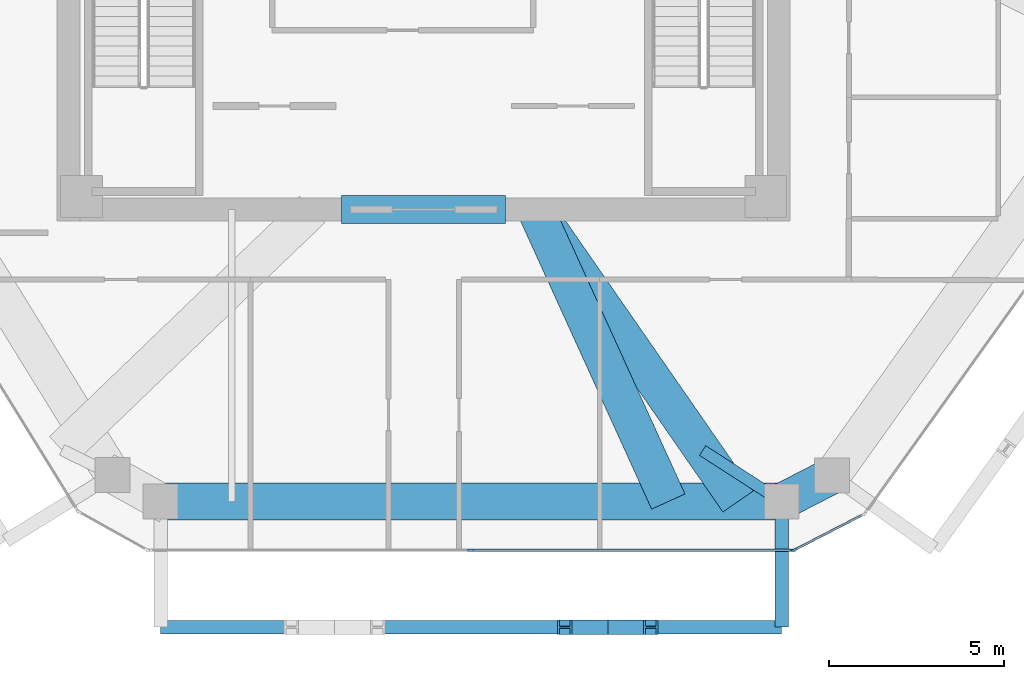
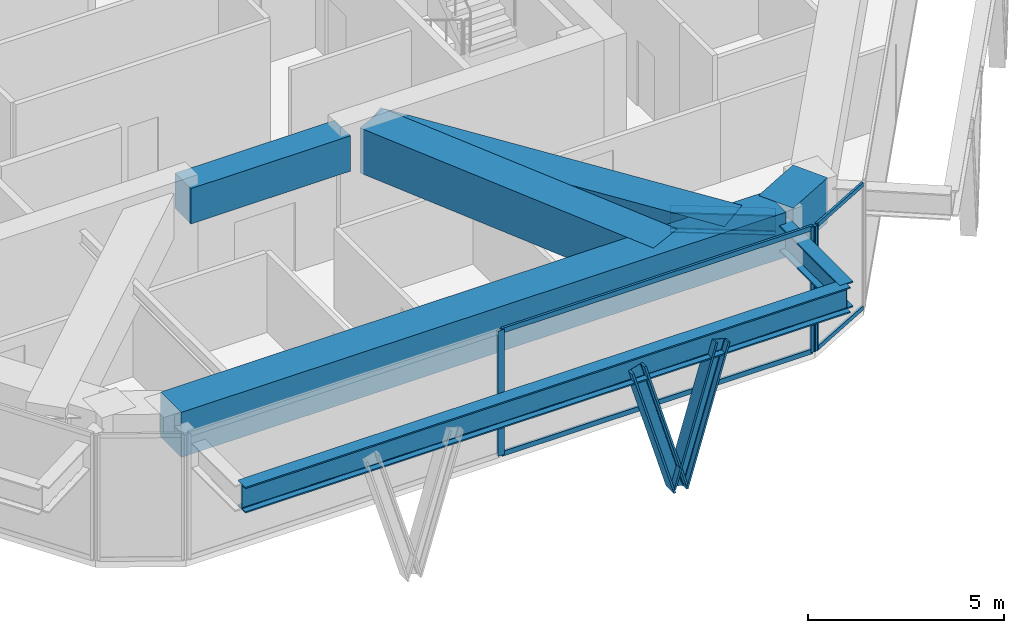
# One storey, part 3 of 11: 9 members, 8 beams, 2 elements without a shape of their own.
"""IFC4 building model written with IfcOpenShell, lengths in metres."""

from ifc_helpers import new_model, si_unit, direction, frame, origin, origin_2d, place, context, subcontext, project, spatial, rectangle, i_section, extrude, source, transform, mapped, material, layer, layer_set, material_profile, profile_set, type_object, type_shapes, element, aggregate, save


model = new_model("IFC4")

# Units and contexts
model_context = context("Model", 3, precision=1e-05, world=origin(), true_north=direction((0.0, 1.0)))
body_context = subcontext(model_context, "Body", "Model", "MODEL_VIEW")
ifc_project = project(units=[si_unit("LENGTHUNIT", "METRE"), si_unit("AREAUNIT", "SQUARE_METRE"), si_unit("VOLUMEUNIT", "CUBIC_METRE"), si_unit("PLANEANGLEUNIT", "RADIAN"), si_unit("MASSUNIT", "GRAM", prefix="KILO")], contexts=[model_context])

# Site, building, storey
site_placement = place(None, origin())
site = spatial("IfcSite", under=ifc_project, at=site_placement, CompositionType="ELEMENT")
building_placement = place(site_placement, origin())
building = spatial("IfcBuilding", under=site, at=building_placement, Name="Durnholm Broadcast Tower", CompositionType="ELEMENT")
storey_placement = place(building_placement, frame((0.0, 0.0, 209.199951171875)))
storey = spatial("IfcBuildingStorey", under=building, at=storey_placement, Name="L58", CompositionType="ELEMENT", Elevation=209.199951171875)

# Beams
ifc_material_1 = material(Name="Steel ASTM A992 Grade 50", Category="steel")
ifc_material_profile_1 = material_profile(ifc_material_1, i_section(OverallWidth=0.385009765625, OverallDepth=0.802978515625, WebThickness=0.023681640625, FlangeThickness=0.0419921875, FilletRadius=0.032958984375, at=origin_2d()), Name="W30X261")
ifc_profile_set_1 = profile_set([ifc_material_profile_1], Name="Steel ASTM A992 Grade 50")
beam_type_1 = type_object("IfcBeamType", Name="BM-EXO-TIE", PredefinedType="USERDEFINED", material=ifc_profile_set_1)
shared_shape_1 = source(origin(), body_context, "Body", "SweptSolid", [
    extrude(i_section(OverallWidth=0.385009765625, OverallDepth=0.802978515625, WebThickness=0.023681640625, FlangeThickness=0.0419921875, FilletRadius=0.032958984375, at=origin_2d()), origin(), (0.0, 0.0, 1.0), 3.4560546875),
])
beam_1_placement = place(storey_placement, frame((10.256591796875, -16.68603515625, 3.1484375), z_axis=(0.0, -1.0, 0.0), x_axis=(1.0, 0.0, 0.0)))
element("IfcBeam", 1, at=beam_1_placement, inside=storey, type_object=beam_type_1, Name="L58 exoskeleton stand-off tie bracket F1.2", ObjectType="GIRDER", PredefinedType="USERDEFINED", context=body_context, shape_type="MappedRepresentation", body=[
    mapped(shared_shape_1, transform((0.0, 0.0, 0.0), x_axis=(1.0, 0.0, 0.0), y_axis=(0.0, 1.0, 0.0), z_axis=(0.0, 0.0, 1.0), scale=1.0)),
])
ifc_material_2 = material(Name="Concrete C70/85", Category="concrete")
ifc_material_profile_2 = material_profile(ifc_material_2, rectangle(XDim=0.800048828125, YDim=1.10009765625, at=origin_2d()), Name="RC800X1100")
ifc_profile_set_2 = profile_set([ifc_material_profile_2], Name="Concrete C70/85")
beam_type_2 = type_object("IfcBeamType", Name="BM-CB-RC1100", PredefinedType="LINTEL", material=ifc_profile_set_2)
shared_shape_2 = source(origin(), body_context, "Body", "SweptSolid", [
    extrude(rectangle(XDim=0.800048828125, YDim=1.10009765625, at=origin_2d()), origin(), (0.0, 0.0, 1.0), 4.7001953125),
])
type_shapes(beam_type_2, [shared_shape_2])
beam_2_placement = place(storey_placement, frame((-2.35009765625, -8.175048828125, 3.344970703125), z_axis=(1.0, 0.0, 0.0), x_axis=(0.0, 1.0, 0.0)))
element("IfcBeam", 2, at=beam_2_placement, inside=storey, type_object=beam_type_2, Name="L58 south core coupling lintel beam CB-S", PredefinedType="LINTEL", context=body_context, shape_type="MappedRepresentation", body=[
    mapped(shared_shape_2, transform((0.0, 0.0, 0.0), x_axis=(1.0, 0.0, 0.0), y_axis=(0.0, 1.0, 0.0), z_axis=(0.0, 0.0, 1.0), scale=1.0)),
])
shared_shape_3 = source(origin(), body_context, "Body", "SweptSolid", [
    extrude(i_section(OverallWidth=0.385009765625, OverallDepth=0.802978515625, WebThickness=0.023681640625, FlangeThickness=0.0419921875, FilletRadius=0.032958984375, at=origin_2d()), origin(), (0.0, 0.0, 1.0), 17.796142578125),
])
type_shapes(beam_type_1, [shared_shape_1, shared_shape_3])
beam_3_placement = place(storey_placement, frame((-7.53955078125, -20.14208984375, 3.1484375), z_axis=(1.0, 0.0, 0.0), x_axis=(0.0, 1.0, 0.0)))
element("IfcBeam", 3, at=beam_3_placement, inside=storey, type_object=beam_type_1, Name="L58 exoskeleton collector spandrel F1", PredefinedType="SPANDREL", context=body_context, shape_type="MappedRepresentation", body=[
    mapped(shared_shape_3, transform((0.0, 0.0, 0.0), x_axis=(1.0, 0.0, 0.0), y_axis=(0.0, 1.0, 0.0), z_axis=(0.0, 0.0, 1.0), scale=1.0)),
])
ifc_material_profile_3 = material_profile(ifc_material_2, rectangle(XDim=1.050048828125, YDim=1.39990234375, at=origin_2d()), Name="RC1050X1400")
ifc_profile_set_3 = profile_set([ifc_material_profile_3], Name="Concrete C70/85")
beam_type_3 = type_object("IfcBeamType", Name="BM-TG-RC1400", PredefinedType="USERDEFINED", material=ifc_profile_set_3)
shared_shape_4 = source(origin(), body_context, "Body", "SweptSolid", [
    extrude(rectangle(XDim=1.050048828125, YDim=1.39990234375, at=origin_2d()), origin(), (0.0, 0.0, 1.0), 1.62255859375),
])
beam_4_placement = place(storey_placement, frame((11.69970703125, -15.80029296875, 3.199951171875), z_axis=(-0.889406668864, -0.45711680934, 0.0), x_axis=(0.45711680934, -0.889406668864, 0.0)))
element("IfcBeam", 4, at=beam_4_placement, inside=storey, type_object=beam_type_3, Name="L58 perimeter transfer spandrel girder 10", PredefinedType="SPANDREL", context=body_context, shape_type="MappedRepresentation", body=[
    mapped(shared_shape_4, transform((0.0, 0.0, 0.0), x_axis=(1.0, 0.0, 0.0), y_axis=(0.0, 1.0, 0.0), z_axis=(0.0, 0.0, 1.0), scale=1.0)),
])
shared_shape_5 = source(origin(), body_context, "Body", "SweptSolid", [
    extrude(rectangle(XDim=1.050048828125, YDim=1.39990234375, at=origin_2d()), origin(), (0.0, 0.0, 1.0), 17.796142578125),
])
beam_5_placement = place(storey_placement, frame((10.256591796875, -16.5419921875, 3.199951171875), z_axis=(-1.0, 0.0, 0.0), x_axis=(0.0, -1.0, 0.0)))
element("IfcBeam", 5, at=beam_5_placement, inside=storey, type_object=beam_type_3, Name="L58 perimeter transfer spandrel girder 11", PredefinedType="SPANDREL", context=body_context, shape_type="MappedRepresentation", body=[
    mapped(shared_shape_5, transform((0.0, 0.0, 0.0), x_axis=(1.0, 0.0, 0.0), y_axis=(0.0, 1.0, 0.0), z_axis=(0.0, 0.0, 1.0), scale=1.0)),
])
shared_shape_6 = source(origin(), body_context, "Body", "SweptSolid", [
    extrude(rectangle(XDim=1.050048828125, YDim=1.39990234375, at=origin_2d()), origin(), (0.0, 0.0, 1.0), 10.18310546875),
])
beam_6_placement = place(storey_placement, frame((3.199951171875, -8.175048828125, 3.199951171875), z_axis=(0.569986425456, -0.821654108976, 0.0), x_axis=(0.821654108976, 0.569986425456, 0.0)))
element("IfcBeam", 6, at=beam_6_placement, inside=storey, type_object=beam_type_3, Name="L58 radial setback transfer girder 10", ObjectType="GIRDER", PredefinedType="USERDEFINED", context=body_context, shape_type="MappedRepresentation", body=[
    mapped(shared_shape_6, transform((0.0, 0.0, 0.0), x_axis=(1.0, 0.0, 0.0), y_axis=(0.0, 1.0, 0.0), z_axis=(0.0, 0.0, 1.0), scale=1.0)),
])
ifc_material_profile_4 = material_profile(ifc_material_1, i_section(OverallWidth=0.3291015625, OverallDepth=0.635009765625, WebThickness=0.017822265625, FlangeThickness=0.031005859375, FilletRadius=0.02783203125, at=origin_2d()), Name="W24X162")
ifc_profile_set_4 = profile_set([ifc_material_profile_4], Name="Steel ASTM A992 Grade 50")
beam_type_4 = type_object("IfcBeamType", Name="STL-SP-W24X162", PredefinedType="SPANDREL", material=ifc_profile_set_4)
shared_shape_7 = source(origin(), body_context, "Body", "SweptSolid", [
    extrude(i_section(OverallWidth=0.3291015625, OverallDepth=0.635009765625, WebThickness=0.017822265625, FlangeThickness=0.031005859375, FilletRadius=0.02783203125, at=origin_2d()), origin(), (0.0, 0.0, 1.0), 2.695556640625),
])
type_shapes(beam_type_4, [shared_shape_7])
beam_7_placement = place(storey_placement, frame((10.256591796875, -16.5419921875, 3.280029296875), z_axis=(-0.840465631071, 0.541864856756, 0.0), x_axis=(-0.541864856756, -0.840465631071, 0.0)))
element("IfcBeam", 7, at=beam_7_placement, inside=storey, type_object=beam_type_4, Name="L58 perimeter column collector tie 10", ObjectType="GIRDER", PredefinedType="USERDEFINED", context=body_context, shape_type="MappedRepresentation", body=[
    mapped(shared_shape_7, transform((0.0, 0.0, 0.0), x_axis=(1.0, 0.0, 0.0), y_axis=(0.0, 1.0, 0.0), z_axis=(0.0, 0.0, 1.0), scale=1.0)),
])
shared_shape_8 = source(origin(), body_context, "Body", "SweptSolid", [
    extrude(rectangle(XDim=1.050048828125, YDim=1.39990234375, at=origin_2d()), origin(), (0.0, 0.0, 1.0), 9.192626953125),
])
type_shapes(beam_type_3, [shared_shape_4, shared_shape_5, shared_shape_6, shared_shape_8])
beam_8_placement = place(storey_placement, frame((3.199951171875, -8.175048828125, 3.199951171875), z_axis=(0.414227101784, -0.910173559354, 0.0), x_axis=(0.910173559354, 0.414227101784, 0.0)))
element("IfcBeam", 8, at=beam_8_placement, inside=storey, type_object=beam_type_3, Name="L58 radial setback transfer girder 11", ObjectType="GIRDER", PredefinedType="USERDEFINED", context=body_context, shape_type="MappedRepresentation", body=[
    mapped(shared_shape_8, transform((0.0, 0.0, 0.0), x_axis=(1.0, 0.0, 0.0), y_axis=(0.0, 1.0, 0.0), z_axis=(0.0, 0.0, 1.0), scale=1.0)),
])

# Members
ifc_material_3 = material(Name="Steel ASTM A913 Grade 65", Category="steel")
ifc_material_profile_5 = material_profile(ifc_material_3, i_section(OverallWidth=0.412109375, OverallDepth=0.434814453125, WebThickness=0.035888671875, FlangeThickness=0.057373046875, FilletRadius=0.030517578125, at=origin_2d()), Name="W14X311")
ifc_profile_set_5 = profile_set([ifc_material_profile_5], Name="Steel ASTM A913 Grade 65")
member_type_1 = type_object("IfcMemberType", Name="STL-DG-W14X311", PredefinedType="BRACE", material=ifc_profile_set_5)
shared_shape_9 = source(origin(), body_context, "Body", "SweptSolid", [
    extrude(i_section(OverallWidth=0.412109375, OverallDepth=0.434814453125, WebThickness=0.035888671875, FlangeThickness=0.057373046875, FilletRadius=0.030517578125, at=origin_2d()), origin(), (0.0, 0.0, 1.0), 4.31982421875),
])
type_shapes(member_type_1, [shared_shape_9])
for number, where, z_axis, x_axis, name in (
    (9, (5.273681640625, -20.14208984375, -0.991455078125), (-0.285631208426, 0.0, 0.958339612441), (0.0, -1.0, 0.0), "L58 stand-off diagrid brace F1.D2.1"),
    (10, (5.273681640625, -20.14208984375, -0.991455078125), (0.285631208426, 0.0, 0.958339612441), (0.0, 1.0, 0.0), "L58 stand-off diagrid brace F1.D2.2"),
):
    element("IfcMember", number, at=place(storey_placement, frame(where, z_axis=z_axis, x_axis=x_axis)), inside=storey, type_object=member_type_1, Name=name, PredefinedType="BRACE", context=body_context, shape_type="MappedRepresentation", body=[
        mapped(shared_shape_9, transform((0.0, 0.0, 0.0), x_axis=(1.0, 0.0, 0.0), y_axis=(0.0, 1.0, 0.0), z_axis=(0.0, 0.0, 1.0), scale=1.0)),
    ])

# Curtain wall, members
ifc_material_4 = material(Name="Aluminium and Solar Control IGU", Category="aluminium")
ifc_layer_1 = layer(ifc_material_4, 0.1650390625)
ifc_layer_set_1 = layer_set([ifc_layer_1], Name="Aluminium and Solar Control IGU")
curtain_wall_type_1 = type_object("IfcCurtainWallType", Name="CW-SYS-5", PredefinedType="NOTDEFINED", material=ifc_layer_set_1)
curtain_wall_1_placement = place(storey_placement, origin())
curtain_wall_1 = element("IfcCurtainWall", 11, at=curtain_wall_1_placement, inside=storey, type_object=curtain_wall_type_1, Name="L58 curtain wall CW-CORNER CW-L58-CRN-09", PredefinedType="NOTDEFINED")
ifc_material_5 = material(Name="Aluminium 6063-T6", Category="aluminium")
ifc_material_profile_6 = material_profile(ifc_material_5, rectangle(XDim=0.06494140625, YDim=0.1298828125, at=origin_2d()), Name="CWT65X130")
ifc_profile_set_6 = profile_set([ifc_material_profile_6], Name="Aluminium 6063-T6")
member_type_2 = type_object("IfcMemberType", Name="CW-SYS-5-TRN", PredefinedType="USERDEFINED", material=ifc_profile_set_6)
shared_shape_10 = source(origin(), body_context, "Body", "SweptSolid", [
    extrude(rectangle(XDim=0.06494140625, YDim=0.1298828125, at=origin_2d()), origin(), (0.0, 0.0, 1.0), 2.170166015625),
])
type_shapes(member_type_2, [shared_shape_10])
member_1_placement = place(storey_placement, frame((12.583251953125, -16.92041015625, 0.032470703125), z_axis=(-0.889422414772, -0.457086171417, 0.0), x_axis=(0.457086171417, -0.889422414772, 0.0)))
member_1 = element("IfcMember", 12, at=member_1_placement, type_object=member_type_2, Name="CW-CORNER transom 1.1", ObjectType="TRANSOM", PredefinedType="USERDEFINED", context=body_context, shape_type="MappedRepresentation", body=[
    mapped(shared_shape_10, transform((0.0, 0.0, 0.0), x_axis=(1.0, 0.0, 0.0), y_axis=(0.0, 1.0, 0.0), z_axis=(0.0, 0.0, 1.0), scale=1.0)),
])
member_2_placement = place(storey_placement, frame((12.583251953125, -16.92041015625, 3.867431640625), z_axis=(-0.889422414772, -0.457086171417, 0.0), x_axis=(0.457086171417, -0.889422414772, 0.0)))
member_2 = element("IfcMember", 13, at=member_2_placement, type_object=member_type_2, Name="CW-CORNER transom 1.2", ObjectType="TRANSOM", PredefinedType="USERDEFINED", context=body_context, shape_type="MappedRepresentation", body=[
    mapped(shared_shape_10, transform((0.0, 0.0, 0.0), x_axis=(1.0, 0.0, 0.0), y_axis=(0.0, 1.0, 0.0), z_axis=(0.0, 0.0, 1.0), scale=1.0)),
])

ifc_layer_2 = layer(ifc_material_4, 0.18994140625)
ifc_layer_set_2 = layer_set([ifc_layer_2], Name="Aluminium and Solar Control IGU")
curtain_wall_type_2 = type_object("IfcCurtainWallType", Name="CW-SYS-4", PredefinedType="NOTDEFINED", material=ifc_layer_set_2)
curtain_wall_2_placement = place(storey_placement, origin())
curtain_wall_2 = element("IfcCurtainWall", 14, at=curtain_wall_2_placement, inside=storey, type_object=curtain_wall_type_2, Name="L58 curtain wall CW-Z34-VIS CW-L58-F10", PredefinedType="NOTDEFINED")
ifc_material_profile_7 = material_profile(ifc_material_5, rectangle(XDim=0.070068359375, YDim=0.14990234375, at=origin_2d()), Name="CWT70X150")
ifc_profile_set_7 = profile_set([ifc_material_profile_7], Name="Aluminium 6063-T6")
member_type_3 = type_object("IfcMemberType", Name="CW-SYS-4-TRN", PredefinedType="USERDEFINED", material=ifc_profile_set_7)
shared_shape_11 = source(origin(), body_context, "Body", "SweptSolid", [
    extrude(rectangle(XDim=0.070068359375, YDim=0.14990234375, at=origin_2d()), origin(), (0.0, 0.0, 1.0), 9.14453125),
])
type_shapes(member_type_3, [shared_shape_11])
member_3_placement = place(storey_placement, frame((10.525390625, -17.94189453125, 0.03515625), z_axis=(-1.0, 0.0, 0.0), x_axis=(0.0, -1.0, 0.0)))
member_3 = element("IfcMember", 15, at=member_3_placement, type_object=member_type_3, Name="CW-Z34-VIS transom 1.1", ObjectType="TRANSOM", PredefinedType="USERDEFINED", context=body_context, shape_type="MappedRepresentation", body=[
    mapped(shared_shape_11, transform((0.0, 0.0, 0.0), x_axis=(1.0, 0.0, 0.0), y_axis=(0.0, 1.0, 0.0), z_axis=(0.0, 0.0, 1.0), scale=1.0)),
])
member_4_placement = place(storey_placement, frame((10.525390625, -17.94189453125, 3.864990234375), z_axis=(-1.0, 0.0, 0.0), x_axis=(0.0, -1.0, 0.0)))
member_4 = element("IfcMember", 16, at=member_4_placement, type_object=member_type_3, Name="CW-Z34-VIS transom 1.2", ObjectType="TRANSOM", PredefinedType="USERDEFINED", context=body_context, shape_type="MappedRepresentation", body=[
    mapped(shared_shape_11, transform((0.0, 0.0, 0.0), x_axis=(1.0, 0.0, 0.0), y_axis=(0.0, 1.0, 0.0), z_axis=(0.0, 0.0, 1.0), scale=1.0)),
])

# Member
ifc_material_profile_8 = material_profile(ifc_material_5, rectangle(XDim=0.06494140625, YDim=0.1650390625, at=origin_2d()), Name="CWM65X165")
ifc_profile_set_8 = profile_set([ifc_material_profile_8], Name="Aluminium 6063-T6")
member_type_4 = type_object("IfcMemberType", Name="CW-SYS-5-MUL", PredefinedType="MULLION", material=ifc_profile_set_8)
shared_shape_12 = source(origin(), body_context, "Body", "SweptSolid", [
    extrude(rectangle(XDim=0.06494140625, YDim=0.1650390625, at=origin_2d()), origin(), (0.0, 0.0, 1.0), 3.900146484375),
])
type_shapes(member_type_4, [shared_shape_12])
member_5_placement = place(storey_placement, frame((10.624267578125, -17.92724609375, 0.0), z_axis=(0.0, 0.0, 1.0), x_axis=(0.457081764476, -0.889424679545, 0.0)))
member_5 = element("IfcMember", 17, at=member_5_placement, type_object=member_type_4, Name="CW-CORNER mullion 2", PredefinedType="MULLION", context=body_context, shape_type="MappedRepresentation", body=[
    mapped(shared_shape_12, transform((0.0, 0.0, 0.0), x_axis=(1.0, 0.0, 0.0), y_axis=(0.0, 1.0, 0.0), z_axis=(0.0, 0.0, 1.0), scale=1.0)),
])

aggregate(curtain_wall_1, [member_5, member_1, member_2])

ifc_material_profile_9 = material_profile(ifc_material_5, rectangle(XDim=0.070068359375, YDim=0.18994140625, at=origin_2d()), Name="CWM70X190")
ifc_profile_set_9 = profile_set([ifc_material_profile_9], Name="Aluminium 6063-T6")
member_type_5 = type_object("IfcMemberType", Name="CW-SYS-4-MUL", PredefinedType="MULLION", material=ifc_profile_set_9)
shared_shape_13 = source(origin(), body_context, "Body", "SweptSolid", [
    extrude(rectangle(XDim=0.070068359375, YDim=0.18994140625, at=origin_2d()), origin(), (0.0, 0.0, 1.0), 3.900146484375),
])
type_shapes(member_type_5, [shared_shape_13])
member_6_placement = place(storey_placement, frame((10.560302734375, -17.94189453125, 0.0), z_axis=(0.0, 0.0, 1.0), x_axis=(0.0, -1.0, 0.0)))
member_6 = element("IfcMember", 18, at=member_6_placement, type_object=member_type_5, Name="CW-Z34-VIS mullion 1", PredefinedType="MULLION", context=body_context, shape_type="MappedRepresentation", body=[
    mapped(shared_shape_13, transform((0.0, 0.0, 0.0), x_axis=(1.0, 0.0, 0.0), y_axis=(0.0, 1.0, 0.0), z_axis=(0.0, 0.0, 1.0), scale=1.0)),
])

member_7_placement = place(storey_placement, frame((1.345947265625, -17.94189453125, 0.0), z_axis=(0.0, 0.0, 1.0), x_axis=(0.0, -1.0, 0.0)))
member_7 = element("IfcMember", 19, at=member_7_placement, type_object=member_type_5, Name="CW-Z34-VIS mullion 2", PredefinedType="MULLION", context=body_context, shape_type="MappedRepresentation", body=[
    mapped(shared_shape_13, transform((0.0, 0.0, 0.0), x_axis=(1.0, 0.0, 0.0), y_axis=(0.0, 1.0, 0.0), z_axis=(0.0, 0.0, 1.0), scale=1.0)),
])

aggregate(curtain_wall_2, [member_6, member_7, member_3, member_4])

save(model, "model.ifc")
